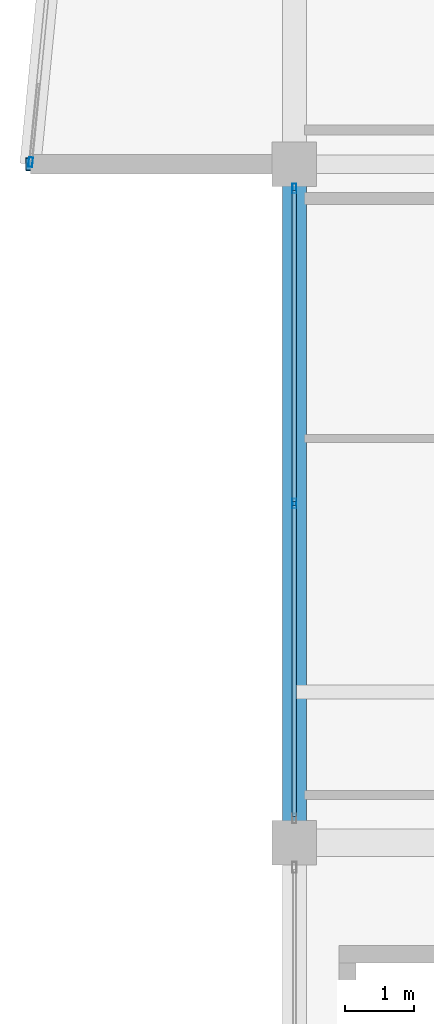
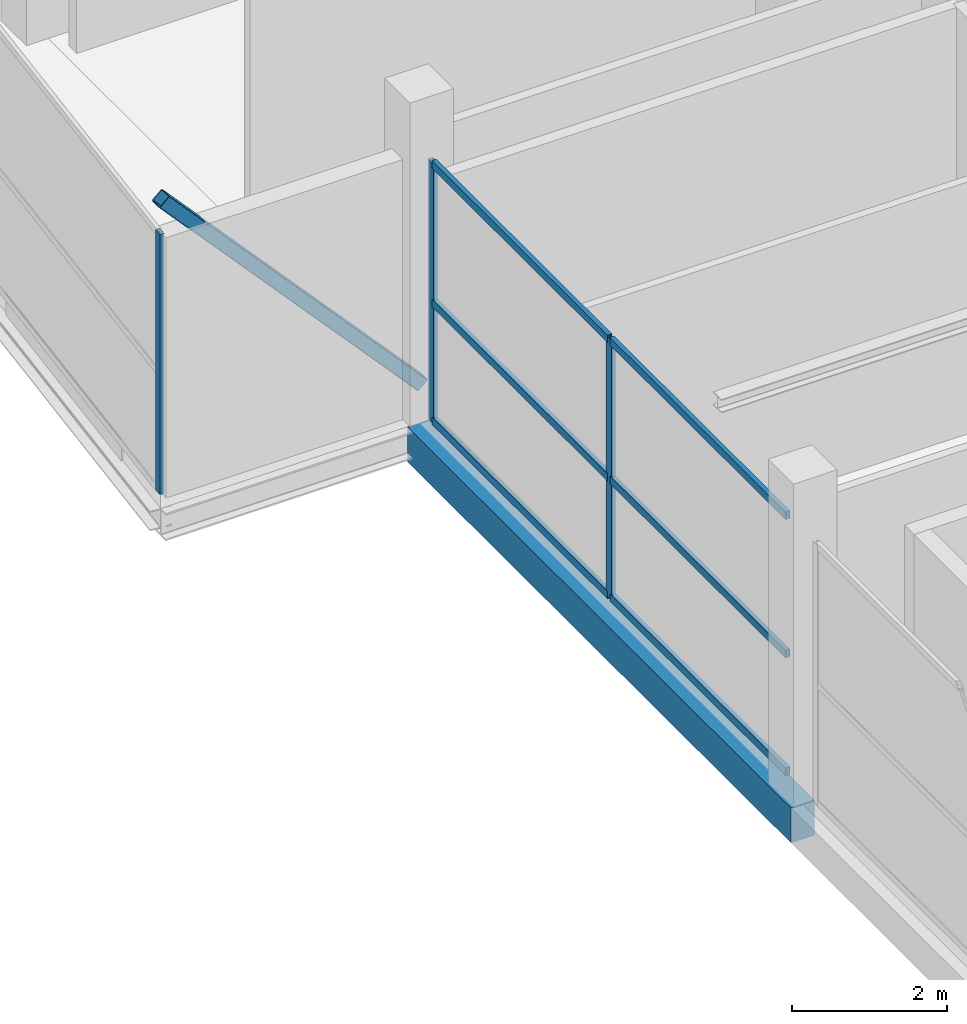
# One storey, part 18 of 58: 10 members, 1 beam, 2 elements without a shape of their own.
"""IFC4 building model written with IfcOpenShell, lengths in metres."""

from ifc_helpers import new_model, si_unit, direction, frame, origin, origin_2d, place, context, subcontext, project, spatial, rectangle, hollow_rectangle, extrude, material, layer, layer_set, material_profile, profile_set, type_object, element, aggregate, save


model = new_model("IFC4")

# Units and contexts
model_context = context("Model", 3, precision=1e-05, world=origin(), true_north=direction((0.0, 1.0)))
body_context = subcontext(model_context, "Body", "Model", "MODEL_VIEW")
ifc_project = project(units=[si_unit("LENGTHUNIT", "METRE"), si_unit("AREAUNIT", "SQUARE_METRE"), si_unit("VOLUMEUNIT", "CUBIC_METRE"), si_unit("PLANEANGLEUNIT", "RADIAN"), si_unit("MASSUNIT", "GRAM", prefix="KILO")], contexts=[model_context])

# Site, building, storey
site_placement = place(None, origin())
site = spatial("IfcSite", under=ifc_project, at=site_placement, CompositionType="ELEMENT")
building_placement = place(site_placement, origin())
building = spatial("IfcBuilding", under=site, at=building_placement, Name="Sillaruma Civic Art Gallery", CompositionType="ELEMENT")
storey_placement = place(building_placement, frame((0.0, 0.0, 52.02001953125)))
storey = spatial("IfcBuildingStorey", under=building, at=storey_placement, Name="L10", CompositionType="ELEMENT", Elevation=52.02001953125)

# Beam
ifc_material_1 = material(Name="Concrete H35 (35 MPa)", Category="concrete")
ifc_material_profile_1 = material_profile(ifc_material_1, rectangle(XDim=0.35009765625, YDim=0.550048828125, at=origin_2d()), Name="RCB350x550")
ifc_profile_set_1 = profile_set([ifc_material_profile_1], Name="Concrete H35 (35 MPa)")
beam_type = type_object("IfcBeamType", Name="BM-SPANDREL-RCB350x550", PredefinedType="SPANDREL", material=ifc_profile_set_1)
beam_placement = place(storey_placement, frame((62.0, 49.5, -0.52490234375), z_axis=(0.0, 1.0, 0.0), x_axis=(-1.0, 0.0, 0.0)))
element("IfcBeam", 1, at=beam_placement, inside=storey, type_object=beam_type, Name="Beam BS-04 (L09:F:6-7)", PredefinedType="SPANDREL", context=body_context, shape_type="SweptSolid", body=[
    extrude(rectangle(XDim=0.35009765625, YDim=0.550048828125, at=origin_2d()), origin(), (0.0, 0.0, 1.0), 9.89990234375),
])

# Curtain wall, members
ifc_material_2 = material(Name="Thermally Broken Extruded Aluminium 6063-T6", Category="aluminium")
ifc_layer_1 = layer(ifc_material_2, 0.139892578125, Name="Thermally Broken Extruded Aluminium 6063-T6")
ifc_layer_set_1 = layer_set([ifc_layer_1], Name="Thermally Broken Extruded Aluminium 6063-T6")
curtain_wall_type_1 = type_object("IfcCurtainWallType", Name="CW-UNI-70", PredefinedType="NOTDEFINED", material=ifc_layer_set_1)
curtain_wall_1_placement = place(storey_placement, origin())
curtain_wall_1 = element("IfcCurtainWall", 2, at=curtain_wall_1_placement, inside=storey, type_object=curtain_wall_type_1, Name="Unitised Curtain Wall CW-70 (CW-L10-WBW-4)", PredefinedType="NOTDEFINED")
ifc_material_profile_2 = material_profile(ifc_material_2, hollow_rectangle(XDim=0.06005859375, YDim=0.139892578125, WallThickness=0.00341796875, at=origin_2d()), Name="CWM60x140")
ifc_profile_set_2 = profile_set([ifc_material_profile_2], Name="Thermally Broken Extruded Aluminium 6063-T6")
member_type_1 = type_object("IfcMemberType", Name="MEM-MUL-CWM60x140", PredefinedType="MULLION", material=ifc_profile_set_2)
member_1_placement = place(storey_placement, frame((62.0, 54.449951171875, 0.0), z_axis=(0.0, 0.0, 1.0), x_axis=(-1.0, 0.0, 0.0)))
member_1 = element("IfcMember", 3, at=member_1_placement, type_object=member_type_1, Name="CW-70 mullion 2", PredefinedType="MULLION", context=body_context, shape_type="SweptSolid", body=[
    extrude(hollow_rectangle(XDim=0.06005859375, YDim=0.139892578125, WallThickness=0.00341796875, at=origin_2d()), origin(), (0.0, 0.0, 1.0), 4.10009765625),
])
member_2_placement = place(storey_placement, frame((62.0, 59.044921875, 0.0), z_axis=(0.0, 0.0, 1.0), x_axis=(-1.0, 0.0, 0.0)))
member_2 = element("IfcMember", 4, at=member_2_placement, type_object=member_type_1, Name="CW-70 mullion 3", PredefinedType="MULLION", context=body_context, shape_type="SweptSolid", body=[
    extrude(hollow_rectangle(XDim=0.06005859375, YDim=0.139892578125, WallThickness=0.00341796875, at=origin_2d()), origin(), (0.0, 0.0, 1.0), 4.10009765625),
])

# Curtain wall, member
ifc_layer_2 = layer(ifc_material_2, 0.139892578125, Name="Thermally Broken Extruded Aluminium 6063-T6")
ifc_layer_set_2 = layer_set([ifc_layer_2], Name="Thermally Broken Extruded Aluminium 6063-T6")
curtain_wall_type_2 = type_object("IfcCurtainWallType", Name="CW-UNI-84", PredefinedType="NOTDEFINED", material=ifc_layer_set_2)
curtain_wall_2_placement = place(storey_placement, origin())
curtain_wall_2 = element("IfcCurtainWall", 5, at=curtain_wall_2_placement, inside=storey, type_object=curtain_wall_type_2, Name="Unitised Curtain Wall CW-84 (CW-PRW-L10-W-ANG)", PredefinedType="NOTDEFINED")
member_3_placement = place(storey_placement, frame((58.15283203125, 59.429931640625, 0.0), z_axis=(0.0, 0.0, 1.0), x_axis=(0.99518536297, -0.098010679679, 0.0)))
member_3 = element("IfcMember", 6, at=member_3_placement, type_object=member_type_1, Name="CW-84 mullion 4", PredefinedType="MULLION", context=body_context, shape_type="SweptSolid", body=[
    extrude(hollow_rectangle(XDim=0.06005859375, YDim=0.139892578125, WallThickness=0.00341796875, at=origin_2d()), origin(), (0.0, 0.0, 1.0), 4.10009765625),
])
aggregate(curtain_wall_2, [member_3])

# Member
ifc_material_3 = material(Name="Structural Steel ASTM A500 Gr.C", Category="steel")
ifc_material_profile_3 = material_profile(ifc_material_3, hollow_rectangle(XDim=0.199951171875, YDim=0.199951171875, WallThickness=0.010009765625, InnerFilletRadius=0.010009765625, OuterFilletRadius=0.02001953125, at=origin_2d()), Name="HSS200x200x10")
ifc_profile_set_3 = profile_set([ifc_material_profile_3], Name="Structural Steel ASTM A500 Gr.C")
member_type_2 = type_object("IfcMemberType", Name="MEM-PROW-BRACE", PredefinedType="BRACE", material=ifc_profile_set_3)
member_4_placement = place(storey_placement, frame((62.0, 59.39990234375, 0.39990234375), z_axis=(-0.672715257777, 0.0, 0.739901467733), x_axis=(0.0, -1.0, 0.0)))
element("IfcMember", 7, at=member_4_placement, inside=storey, type_object=member_type_2, Name="Deconstructivist Prow Diagonal Brace (PRW-L10-W-ROF-S)", PredefinedType="BRACE", context=body_context, shape_type="SweptSolid", body=[
    extrude(hollow_rectangle(XDim=0.199951171875, YDim=0.199951171875, WallThickness=0.010009765625, InnerFilletRadius=0.010009765625, OuterFilletRadius=0.02001953125, at=origin_2d()), origin(), (0.0, 0.0, 1.0), 5.72314453125),
])

ifc_material_profile_4 = material_profile(ifc_material_2, hollow_rectangle(XDim=0.06494140625, YDim=0.1201171875, WallThickness=0.00341796875, at=origin_2d()), Name="CWT65x120")
ifc_profile_set_4 = profile_set([ifc_material_profile_4], Name="Thermally Broken Extruded Aluminium 6063-T6")
member_type_3 = type_object("IfcMemberType", Name="MEM-TRN-CWT65x120", PredefinedType="USERDEFINED", material=ifc_profile_set_4)
member_5_placement = place(storey_placement, frame((62.0, 49.885009765625, 0.032470703125), z_axis=(0.0, 1.0, 0.0), x_axis=(-1.0, 0.0, 0.0)))
member_5 = element("IfcMember", 8, at=member_5_placement, type_object=member_type_3, Name="CW-70 transom 1.1", ObjectType="TRANSOM", PredefinedType="USERDEFINED", context=body_context, shape_type="SweptSolid", body=[
    extrude(hollow_rectangle(XDim=0.06494140625, YDim=0.1201171875, WallThickness=0.00341796875, at=origin_2d()), origin(), (0.0, 0.0, 1.0), 4.534912109375),
])

member_6_placement = place(storey_placement, frame((62.0, 49.885009765625, 1.885986328125), z_axis=(0.0, 1.0, 0.0), x_axis=(-1.0, 0.0, 0.0)))
member_6 = element("IfcMember", 9, at=member_6_placement, type_object=member_type_3, Name="CW-70 transom 1.2", ObjectType="TRANSOM", PredefinedType="USERDEFINED", context=body_context, shape_type="SweptSolid", body=[
    extrude(hollow_rectangle(XDim=0.06494140625, YDim=0.1201171875, WallThickness=0.00341796875, at=origin_2d()), origin(), (0.0, 0.0, 1.0), 4.534912109375),
])

member_7_placement = place(storey_placement, frame((62.0, 49.885009765625, 4.0673828125), z_axis=(0.0, 1.0, 0.0), x_axis=(-1.0, 0.0, 0.0)))
member_7 = element("IfcMember", 10, at=member_7_placement, type_object=member_type_3, Name="CW-70 transom 1.3", ObjectType="TRANSOM", PredefinedType="USERDEFINED", context=body_context, shape_type="SweptSolid", body=[
    extrude(hollow_rectangle(XDim=0.06494140625, YDim=0.1201171875, WallThickness=0.00341796875, at=origin_2d()), origin(), (0.0, 0.0, 1.0), 4.534912109375),
])

member_8_placement = place(storey_placement, frame((62.0, 54.47998046875, 0.032470703125), z_axis=(0.0, 1.0, 0.0), x_axis=(-1.0, 0.0, 0.0)))
member_8 = element("IfcMember", 11, at=member_8_placement, type_object=member_type_3, Name="CW-70 transom 2.1", ObjectType="TRANSOM", PredefinedType="USERDEFINED", context=body_context, shape_type="SweptSolid", body=[
    extrude(hollow_rectangle(XDim=0.06494140625, YDim=0.1201171875, WallThickness=0.00341796875, at=origin_2d()), origin(), (0.0, 0.0, 1.0), 4.534912109375),
])

member_9_placement = place(storey_placement, frame((62.0, 54.47998046875, 1.885986328125), z_axis=(0.0, 1.0, 0.0), x_axis=(-1.0, 0.0, 0.0)))
member_9 = element("IfcMember", 12, at=member_9_placement, type_object=member_type_3, Name="CW-70 transom 2.2", ObjectType="TRANSOM", PredefinedType="USERDEFINED", context=body_context, shape_type="SweptSolid", body=[
    extrude(hollow_rectangle(XDim=0.06494140625, YDim=0.1201171875, WallThickness=0.00341796875, at=origin_2d()), origin(), (0.0, 0.0, 1.0), 4.534912109375),
])

member_10_placement = place(storey_placement, frame((62.0, 54.47998046875, 4.0673828125), z_axis=(0.0, 1.0, 0.0), x_axis=(-1.0, 0.0, 0.0)))
member_10 = element("IfcMember", 13, at=member_10_placement, type_object=member_type_3, Name="CW-70 transom 2.3", ObjectType="TRANSOM", PredefinedType="USERDEFINED", context=body_context, shape_type="SweptSolid", body=[
    extrude(hollow_rectangle(XDim=0.06494140625, YDim=0.1201171875, WallThickness=0.00341796875, at=origin_2d()), origin(), (0.0, 0.0, 1.0), 4.534912109375),
])

aggregate(curtain_wall_1, [member_1, member_2, member_5, member_6, member_7, member_8, member_9, member_10])

save(model, "model.ifc")
